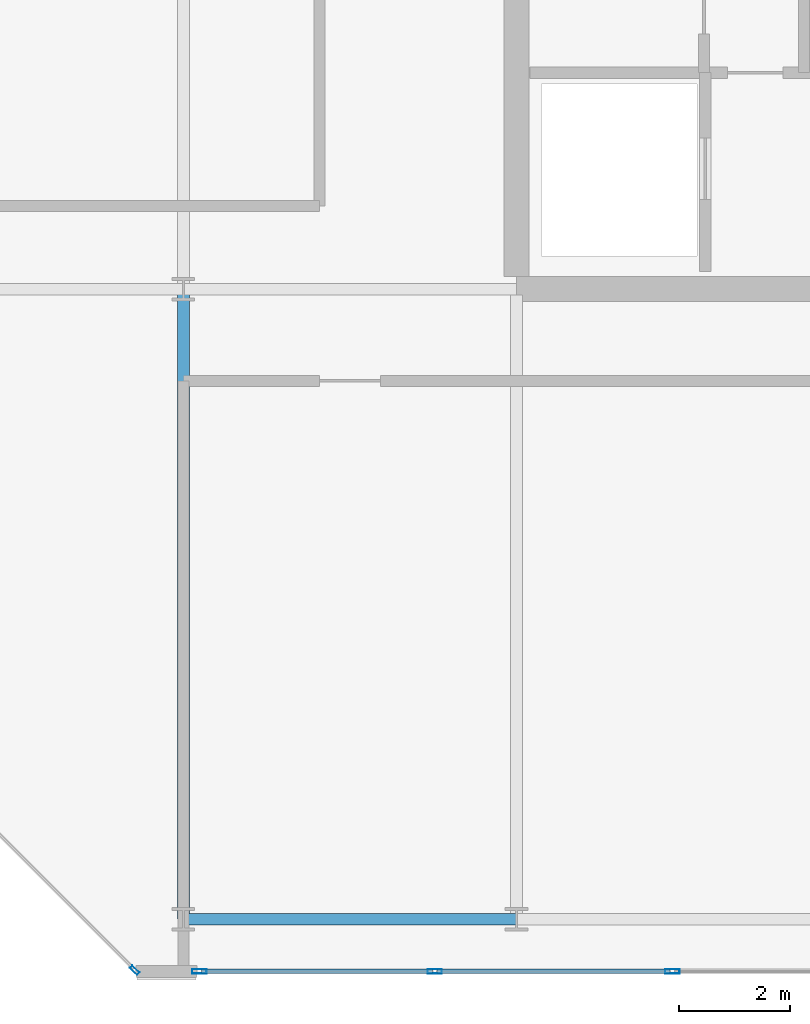
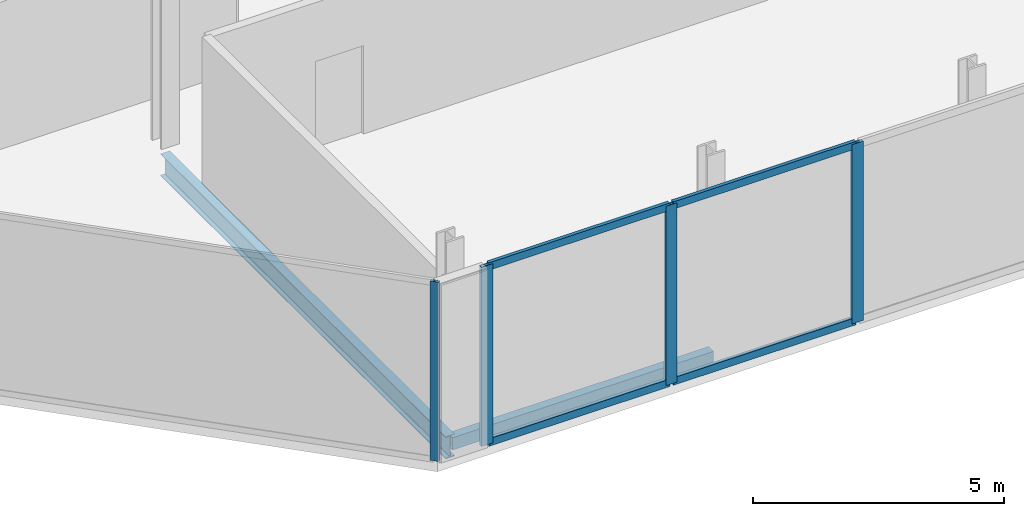
# One storey, part 2 of 16: 8 members, 2 beams, 2 elements without a shape of their own.
"""IFC4 building model written with IfcOpenShell, lengths in metres."""

from ifc_helpers import new_model, si_unit, direction, frame, origin, origin_2d, place, context, subcontext, project, spatial, hollow_rectangle, i_section, extrude, material, layer, layer_set, material_profile, profile_set, type_object, element, aggregate, save


model = new_model("IFC4")

# Units and contexts
model_context = context("Model", 3, precision=1e-05, world=origin(), true_north=direction((0.0, 1.0)))
body_context = subcontext(model_context, "Body", "Model", "MODEL_VIEW")
ifc_project = project(units=[si_unit("LENGTHUNIT", "METRE"), si_unit("AREAUNIT", "SQUARE_METRE"), si_unit("VOLUMEUNIT", "CUBIC_METRE"), si_unit("PLANEANGLEUNIT", "RADIAN"), si_unit("MASSUNIT", "GRAM", prefix="KILO")], contexts=[model_context])

# Site, building, storey
site_placement = place(None, origin())
site = spatial("IfcSite", under=ifc_project, at=site_placement, CompositionType="ELEMENT")
building_placement = place(site_placement, origin())
building = spatial("IfcBuilding", under=site, at=building_placement, Name="Tanjung Sevakor Pilgrim Tower", CompositionType="ELEMENT")
storey_placement = place(building_placement, frame((0.0, 0.0, 283.139892578125)))
storey = spatial("IfcBuildingStorey", under=building, at=storey_placement, Name="L79", CompositionType="ELEMENT", Elevation=283.139892578125)

# Beams
ifc_material_1 = material(Name="Steel S355J2", Category="steel")
ifc_material_profile_1 = material_profile(ifc_material_1, i_section(OverallWidth=0.210693359375, OverallDepth=0.53955078125, WebThickness=0.01171875, FlangeThickness=0.018798828125, FilletRadius=0.0126953125, at=origin_2d()))
ifc_profile_set_1 = profile_set([ifc_material_profile_1], Name="Steel S355J2")
beam_type_1 = type_object("IfcBeamType", Name="BM-B-G6-UB_533x210x109", PredefinedType="BEAM", material=ifc_profile_set_1)
beam_1_placement = place(storey_placement, frame((72.0, 13.25, -0.529541015625), z_axis=(0.0, 1.0, 0.0), x_axis=(-1.0, 0.0, 0.0)))
element("IfcBeam", 1, at=beam_1_placement, inside=storey, type_object=beam_type_1, Name="L79 EAST Girder 002", PredefinedType="BEAM", context=body_context, shape_type="SweptSolid", body=[
    extrude(i_section(OverallWidth=0.210693359375, OverallDepth=0.53955078125, WebThickness=0.01171875, FlangeThickness=0.018798828125, FilletRadius=0.0126953125, at=origin_2d()), origin(), (0.0, 0.0, 1.0), 11.35009765625),
])
ifc_material_2 = material(Name="Steel S355J2", Category="steel")
ifc_material_profile_2 = material_profile(ifc_material_2, hollow_rectangle(XDim=0.199951171875, YDim=0.300048828125, WallThickness=0.012451171875, at=origin_2d()))
ifc_profile_set_2 = profile_set([ifc_material_profile_2], Name="Steel S355J2")
beam_type_2 = type_object("IfcBeamType", Name="BM-B-SP3-RHS_300x200x12.5", PredefinedType="SPANDREL", material=ifc_profile_set_2)
beam_2_placement = place(storey_placement, frame((72.0, 13.25, -0.409912109375), z_axis=(1.0, 0.0, 0.0), x_axis=(0.0, 1.0, 0.0)))
element("IfcBeam", 2, at=beam_2_placement, inside=storey, type_object=beam_type_2, Name="L79 Spandrel EAST S-01", PredefinedType="SPANDREL", context=body_context, shape_type="SweptSolid", body=[
    extrude(hollow_rectangle(XDim=0.199951171875, YDim=0.300048828125, WallThickness=0.012451171875, at=origin_2d()), origin(), (0.0, 0.0, 1.0), 6.0),
])

# Curtain wall, member
ifc_material_3 = material(Name="Aluminium 6063-T6 and Low-E Glass", Category="aluminium")
ifc_layer_1 = layer(ifc_material_3, 0.179931640625)
ifc_layer_set_1 = layer_set([ifc_layer_1], Name="CW-SYS-CHAM")
curtain_wall_type_1 = type_object("IfcCurtainWallType", Name="CW-SYS-CHAM", PredefinedType="NOTDEFINED", material=ifc_layer_set_1)
curtain_wall_1_placement = place(storey_placement, origin())
curtain_wall_1 = element("IfcCurtainWall", 3, at=curtain_wall_1_placement, inside=storey, type_object=curtain_wall_type_1, Name="L79 Curtain Wall CW-CHM-L79-EAST-7", PredefinedType="NOTDEFINED")
ifc_material_4 = material(Name="Aluminium 6063-T6", Category="aluminium")
ifc_material_profile_3 = material_profile(ifc_material_4, hollow_rectangle(XDim=0.06494140625, YDim=0.179931640625, WallThickness=0.00390625, at=origin_2d()))
ifc_profile_set_3 = profile_set([ifc_material_profile_3], Name="Aluminium 6063-T6")
member_type_1 = type_object("IfcMemberType", Name="TYPE-CWM-1", PredefinedType="MULLION", material=ifc_profile_set_3)
member_1_placement = place(storey_placement, frame((71.12255859375, 12.3330078125, 0.0), z_axis=(0.0, 0.0, 1.0), x_axis=(0.707106781187, 0.707106781187, 0.0)))
member_1 = element("IfcMember", 4, at=member_1_placement, type_object=member_type_1, Name="CW-CHM mullion 2", PredefinedType="MULLION", context=body_context, shape_type="SweptSolid", body=[
    extrude(hollow_rectangle(XDim=0.06494140625, YDim=0.179931640625, WallThickness=0.00390625, at=origin_2d()), origin(), (0.0, 0.0, 1.0), 4.360107421875),
])
aggregate(curtain_wall_1, [member_1])

# Curtain wall, members
ifc_material_5 = material(Name="Aluminium 6063-T6 and Low-E Glass", Category="aluminium")
ifc_layer_2 = layer(ifc_material_5, 0.219970703125)
ifc_layer_set_2 = layer_set([ifc_layer_2], Name="CW-SYS-CRNE")
curtain_wall_type_2 = type_object("IfcCurtainWallType", Name="CW-SYS-CRNE", PredefinedType="NOTDEFINED", material=ifc_layer_set_2)
curtain_wall_2_placement = place(storey_placement, origin())
curtain_wall_2 = element("IfcCurtainWall", 5, at=curtain_wall_2_placement, inside=storey, type_object=curtain_wall_type_2, Name="L79 Curtain Wall CW-CRN-L79-EAST-0-1", PredefinedType="NOTDEFINED")
ifc_material_6 = material(Name="Aluminium 6063-T6", Category="aluminium")
ifc_material_profile_4 = material_profile(ifc_material_6, hollow_rectangle(XDim=0.080078125, YDim=0.260009765625, WallThickness=0.0048828125, at=origin_2d()))
ifc_profile_set_4 = profile_set([ifc_material_profile_4], Name="Aluminium 6063-T6")
member_type_2 = type_object("IfcMemberType", Name="TYPE-CWM-3", PredefinedType="MULLION", material=ifc_profile_set_4)
member_2_placement = place(storey_placement, frame((72.28564453125, 12.31005859375, 0.0), z_axis=(0.0, 0.0, 1.0), x_axis=(0.0, 1.0, 0.0)))
member_2 = element("IfcMember", 6, at=member_2_placement, type_object=member_type_2, Name="CW-CRE mullion 1", PredefinedType="MULLION", context=body_context, shape_type="SweptSolid", body=[
    extrude(hollow_rectangle(XDim=0.080078125, YDim=0.260009765625, WallThickness=0.0048828125, at=origin_2d()), origin(), (0.0, 0.0, 1.0), 4.360107421875),
])
member_3_placement = place(storey_placement, frame((76.52734375, 12.31005859375, 0.0), z_axis=(0.0, 0.0, 1.0), x_axis=(0.0, 1.0, 0.0)))
member_3 = element("IfcMember", 7, at=member_3_placement, type_object=member_type_2, Name="CW-CRE mullion 2", PredefinedType="MULLION", context=body_context, shape_type="SweptSolid", body=[
    extrude(hollow_rectangle(XDim=0.080078125, YDim=0.260009765625, WallThickness=0.0048828125, at=origin_2d()), origin(), (0.0, 0.0, 1.0), 4.360107421875),
])
member_4_placement = place(storey_placement, frame((80.80908203125, 12.31005859375, 0.0), z_axis=(0.0, 0.0, 1.0), x_axis=(0.0, 1.0, 0.0)))
member_4 = element("IfcMember", 8, at=member_4_placement, type_object=member_type_2, Name="CW-CRE mullion 3", PredefinedType="MULLION", context=body_context, shape_type="SweptSolid", body=[
    extrude(hollow_rectangle(XDim=0.080078125, YDim=0.260009765625, WallThickness=0.0048828125, at=origin_2d()), origin(), (0.0, 0.0, 1.0), 4.360107421875),
])
ifc_material_7 = material(Name="Aluminium 6063-T6", Category="aluminium")
ifc_material_profile_5 = material_profile(ifc_material_7, hollow_rectangle(XDim=0.080078125, YDim=0.179931640625, WallThickness=0.0048828125, at=origin_2d()))
ifc_profile_set_5 = profile_set([ifc_material_profile_5], Name="Aluminium 6063-T6")
member_type_3 = type_object("IfcMemberType", Name="TYPE-CWT-3", PredefinedType="USERDEFINED", material=ifc_profile_set_5)
member_5_placement = place(storey_placement, frame((72.32568359375, 12.31005859375, 0.0400390625), z_axis=(1.0, 0.0, 0.0), x_axis=(0.0, 1.0, 0.0)))
member_5 = element("IfcMember", 9, at=member_5_placement, type_object=member_type_3, Name="CW-CRE transom 1.1", ObjectType="TRANSOM", PredefinedType="USERDEFINED", context=body_context, shape_type="SweptSolid", body=[
    extrude(hollow_rectangle(XDim=0.080078125, YDim=0.179931640625, WallThickness=0.0048828125, at=origin_2d()), origin(), (0.0, 0.0, 1.0), 4.16162109375),
])
member_6_placement = place(storey_placement, frame((72.32568359375, 12.31005859375, 4.320068359375), z_axis=(1.0, 0.0, 0.0), x_axis=(0.0, 1.0, 0.0)))
member_6 = element("IfcMember", 10, at=member_6_placement, type_object=member_type_3, Name="CW-CRE transom 1.2", ObjectType="TRANSOM", PredefinedType="USERDEFINED", context=body_context, shape_type="SweptSolid", body=[
    extrude(hollow_rectangle(XDim=0.080078125, YDim=0.179931640625, WallThickness=0.0048828125, at=origin_2d()), origin(), (0.0, 0.0, 1.0), 4.16162109375),
])
member_7_placement = place(storey_placement, frame((76.5673828125, 12.31005859375, 0.0400390625), z_axis=(1.0, 0.0, 0.0), x_axis=(0.0, 1.0, 0.0)))
member_7 = element("IfcMember", 11, at=member_7_placement, type_object=member_type_3, Name="CW-CRE transom 2.1", ObjectType="TRANSOM", PredefinedType="USERDEFINED", context=body_context, shape_type="SweptSolid", body=[
    extrude(hollow_rectangle(XDim=0.080078125, YDim=0.179931640625, WallThickness=0.0048828125, at=origin_2d()), origin(), (0.0, 0.0, 1.0), 4.20166015625),
])
member_8_placement = place(storey_placement, frame((76.5673828125, 12.31005859375, 4.320068359375), z_axis=(1.0, 0.0, 0.0), x_axis=(0.0, 1.0, 0.0)))
member_8 = element("IfcMember", 12, at=member_8_placement, type_object=member_type_3, Name="CW-CRE transom 2.2", ObjectType="TRANSOM", PredefinedType="USERDEFINED", context=body_context, shape_type="SweptSolid", body=[
    extrude(hollow_rectangle(XDim=0.080078125, YDim=0.179931640625, WallThickness=0.0048828125, at=origin_2d()), origin(), (0.0, 0.0, 1.0), 4.20166015625),
])
aggregate(curtain_wall_2, [member_2, member_3, member_4, member_5, member_6, member_7, member_8])

save(model, "model.ifc")
